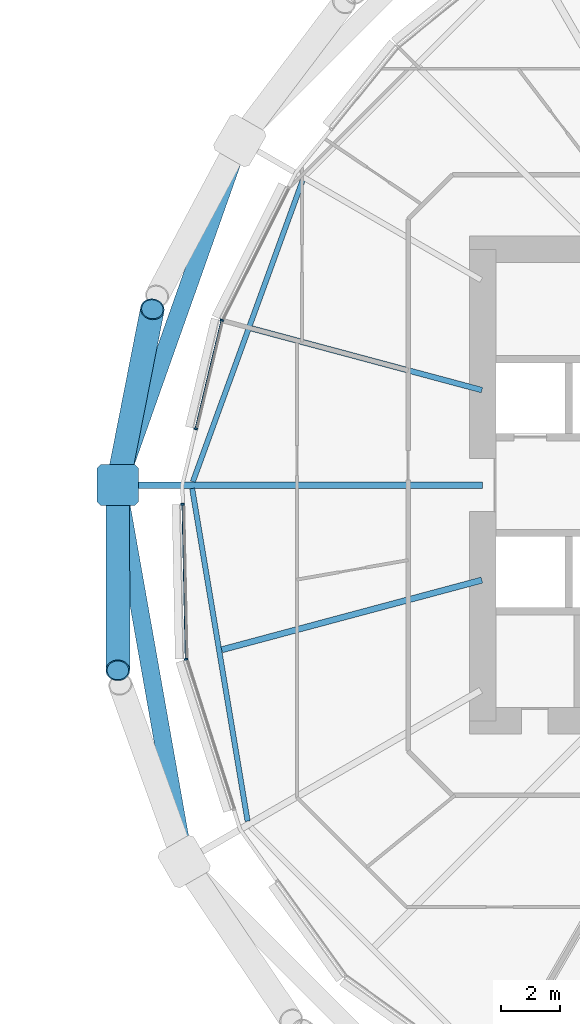
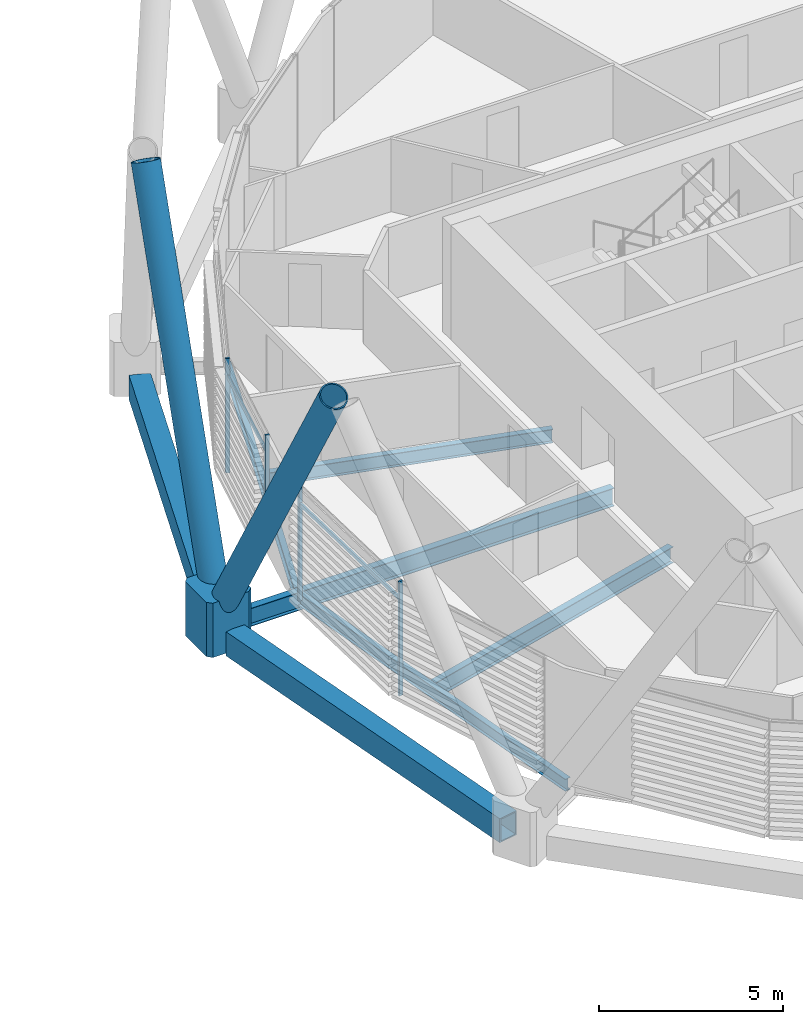
# One storey, part 13 of 36: 9 members, 7 beams, 1 element without a shape of its own.
"""IFC4 building model written with IfcOpenShell, lengths in metres."""

from ifc_helpers import new_model, si_unit, direction, frame, origin, origin_2d, place, context, subcontext, project, spatial, polyline, rectangle, hollow_rectangle, hollow_circle, i_section, outline, extrude, material, material_profile, profile_set, type_object, element, aggregate, save


model = new_model("IFC4")

# Units and contexts
model_context = context("Model", 3, precision=1e-05, world=origin(), true_north=direction((0.0, 1.0)))
body_context = subcontext(model_context, "Body", "Model", "MODEL_VIEW")
ifc_project = project(units=[si_unit("LENGTHUNIT", "METRE"), si_unit("AREAUNIT", "SQUARE_METRE"), si_unit("VOLUMEUNIT", "CUBIC_METRE"), si_unit("PLANEANGLEUNIT", "RADIAN"), si_unit("MASSUNIT", "GRAM", prefix="KILO")], contexts=[model_context])

# Site, building, storey
site_placement = place(None, origin())
site = spatial("IfcSite", under=ifc_project, at=site_placement, CompositionType="ELEMENT")
building_placement = place(site_placement, origin())
building = spatial("IfcBuilding", under=site, at=building_placement, Name="Rimbun Link Towers", CompositionType="ELEMENT")
storey_placement = place(building_placement, frame((0.0, 0.0, 64.199951171875)))
storey = spatial("IfcBuildingStorey", under=building, at=storey_placement, Name="L15", CompositionType="ELEMENT", Elevation=64.199951171875)

# Curtain wall, members
ifc_material_1 = material(Name="Aluminium 6063-T6 and low-iron glass", Category="aluminium")
curtain_wall_type = type_object("IfcCurtainWallType", Name="CW1 unitised vision wall", PredefinedType="NOTDEFINED", material=ifc_material_1)
curtain_wall_placement = place(storey_placement, origin())
curtain_wall = element("IfcCurtainWall", 1, at=curtain_wall_placement, inside=storey, type_object=curtain_wall_type, Name="CW1 L15 T2", PredefinedType="NOTDEFINED")
ifc_material_2 = material(Name="Aluminium 6063-T6", Category="aluminium")
ifc_material_profile_1 = material_profile(ifc_material_2, rectangle(XDim=0.1201171875, YDim=0.06005859375, at=origin_2d()), Name="MULLION 60X120")
ifc_profile_set_1 = profile_set([ifc_material_profile_1], Name="Aluminium 6063-T6")
member_type_1 = type_object("IfcMemberType", Name="CW1 mullion 60X120", PredefinedType="MULLION", material=ifc_profile_set_1)
member_1_placement = place(storey_placement, frame((10.8974609375, 5.593017578125, 0.0), z_axis=(0.0, 0.0, 1.0), x_axis=(-0.939346368321, 0.34296997, 0.0)))
member_1 = element("IfcMember", 2, at=member_1_placement, type_object=member_type_1, Name="CW1 mullion", PredefinedType="MULLION", context=body_context, shape_type="SweptSolid", body=[
    extrude(rectangle(XDim=0.1201171875, YDim=0.06005859375, at=origin_2d()), origin(), (0.0, 0.0, 1.0), 3.800048828125),
])
member_2_placement = place(storey_placement, frame((10.01611328125, 1.910400390625, 0.0), z_axis=(0.0, 0.0, 1.0), x_axis=(-0.972572197016, 0.232601207201, 0.0)))
member_2 = element("IfcMember", 3, at=member_2_placement, type_object=member_type_1, Name="CW1 mullion", PredefinedType="MULLION", context=body_context, shape_type="SweptSolid", body=[
    extrude(rectangle(XDim=0.1201171875, YDim=0.06005859375, at=origin_2d()), origin(), (0.0, 0.0, 1.0), 3.800048828125),
])
member_3_placement = place(storey_placement, frame((9.68603515625, -5.906005859375, 0.0), z_axis=(0.0, 0.0, 1.0), x_axis=(-0.986502827503, -0.16374422533, 0.0)))
member_3 = element("IfcMember", 4, at=member_3_placement, type_object=member_type_1, Name="CW1 mullion", PredefinedType="MULLION", context=body_context, shape_type="SweptSolid", body=[
    extrude(rectangle(XDim=0.1201171875, YDim=0.06005859375, at=origin_2d()), origin(), (0.0, 0.0, 1.0), 3.800048828125),
])
member_4_placement = place(storey_placement, frame((9.57470703125, -0.651123046875, 0.0), z_axis=(0.0, 0.0, 1.0), x_axis=(-0.999778219026, -0.021059742681, 0.0)))
member_4 = element("IfcMember", 5, at=member_4_placement, type_object=member_type_1, Name="CW1 mullion", PredefinedType="MULLION", context=body_context, shape_type="SweptSolid", body=[
    extrude(rectangle(XDim=0.1201171875, YDim=0.06005859375, at=origin_2d()), origin(), (0.0, 0.0, 1.0), 3.800048828125),
])
ifc_material_3 = material(Name="Aluminium 6063-T6", Category="aluminium")
ifc_material_profile_2 = material_profile(ifc_material_3, rectangle(XDim=0.06005859375, YDim=0.1201171875, at=origin_2d()), Name="TRANSOM 60X120")
ifc_profile_set_2 = profile_set([ifc_material_profile_2], Name="Aluminium 6063-T6")
member_type_2 = type_object("IfcMemberType", Name="CW1 transom 60X120", PredefinedType="USERDEFINED", material=ifc_profile_set_2)
member_5_placement = place(storey_placement, frame((10.025146484375, 1.939208984375, 3.199951171875), z_axis=(0.232623153405, 0.972566948081, 0.0), x_axis=(-0.972566948081, 0.232623153405, 0.0)))
member_5 = element("IfcMember", 6, at=member_5_placement, type_object=member_type_2, Name="CW1 transom", ObjectType="TRANSOM", PredefinedType="USERDEFINED", context=body_context, shape_type="SweptSolid", body=[
    extrude(rectangle(XDim=0.06005859375, YDim=0.1201171875, at=origin_2d()), origin(), (0.0, 0.0, 1.0), 3.719482421875),
])
member_6_placement = place(storey_placement, frame((9.6865234375, -5.867431640625, 3.199951171875), z_axis=(-0.021037568732, 0.999778685861, 0.0), x_axis=(-0.999778685861, -0.021037568732, 0.0)))
member_6 = element("IfcMember", 7, at=member_6_placement, type_object=member_type_2, Name="CW1 transom", ObjectType="TRANSOM", PredefinedType="USERDEFINED", context=body_context, shape_type="SweptSolid", body=[
    extrude(rectangle(XDim=0.06005859375, YDim=0.1201171875, at=origin_2d()), origin(), (0.0, 0.0, 1.0), 5.1875),
])
aggregate(curtain_wall, [member_1, member_2, member_3, member_4, member_5, member_6])

# Members
ifc_material_4 = material(Name="Steel S460NH", Category="steel")
ifc_material_profile_3 = material_profile(ifc_material_4, hollow_circle(Radius=0.406494140625, WallThickness=0.0400390625, at=origin_2d()), Name="Diagrid diagonal CHS 813x40")
ifc_profile_set_3 = profile_set([ifc_material_profile_3], Name="Steel S460NH")
member_type_3 = type_object("IfcMemberType", Name="Diagrid diagonal CHS 813x40", PredefinedType="BRACE", material=ifc_profile_set_3)
member_7_placement = place(storey_placement, frame((7.41796875, 0.238037109375, 0.437255859375), z_axis=(0.093728383, 0.475943844858, 0.874466950069), x_axis=(-0.981155359902, 0.193220495125, 0.0)))
element("IfcMember", 8, at=member_7_placement, inside=storey, type_object=member_type_3, Name="Diagrid diagonal T2 L15-L18 09a", PredefinedType="BRACE", context=body_context, shape_type="SweptSolid", body=[
    extrude(hollow_circle(Radius=0.406494140625, WallThickness=0.0400390625, at=origin_2d()), origin(), (0.0, 0.0, 1.0), 12.03662109375),
])
member_8_placement = place(storey_placement, frame((7.37109375, -0.24853515625, 0.433837890625), z_axis=(0.000201126402, -0.497124128082, 0.867679411319), x_axis=(0.999999918158, 0.000404579811, 0.0)))
element("IfcMember", 9, at=member_8_placement, inside=storey, type_object=member_type_3, Name="Diagrid diagonal T2 L15-L18 09b", PredefinedType="BRACE", context=body_context, shape_type="SweptSolid", body=[
    extrude(hollow_circle(Radius=0.406494140625, WallThickness=0.0400390625, at=origin_2d()), origin(), (0.0, 0.0, 1.0), 12.138671875),
])
ifc_material_5 = material(Name="Cast steel G20Mn5+QT, Rp0.2 300 MPa", Category="steel")
ifc_material_profile_4 = material_profile(ifc_material_5, outline(polyline([(0.699951171875, -0.570068359375), (0.699951171875, 0.570068359375), (0.570068359375, 0.699951171875), (-0.570068359375, 0.699951171875), (-0.699951171875, 0.570068359375), (-0.699951171875, -0.570068359375), (-0.570068359375, -0.699951171875), (0.570068359375, -0.699951171875), (0.699951171875, -0.570068359375)])), Name="NODE 1400x1400")
ifc_profile_set_4 = profile_set([ifc_material_profile_4], Name="Cast steel G20Mn5+QT, Rp0.2 300 MPa")
member_type_4 = type_object("IfcMemberType", Name="Diagrid node cast 1400", PredefinedType="USERDEFINED", material=ifc_profile_set_4)
member_9_placement = place(storey_placement, frame((7.37109375, 0.0, -0.89990234375), z_axis=(0.0, 0.0, 1.0), x_axis=(-1.0, 0.0, 0.0)))
element("IfcMember", 10, at=member_9_placement, inside=storey, type_object=member_type_4, Name="Diagrid node L15 09", ObjectType="Diagrid node", PredefinedType="USERDEFINED", context=body_context, shape_type="SweptSolid", body=[
    extrude(outline(polyline([(0.699951171875, -0.570068359375), (0.699951171875, 0.570068359375), (0.570068359375, 0.699951171875), (-0.570068359375, 0.699951171875), (-0.699951171875, 0.570068359375), (-0.699951171875, -0.570068359375), (-0.570068359375, -0.699951171875), (0.570068359375, -0.699951171875), (0.699951171875, -0.570068359375)])), origin(), (0.0, 0.0, 1.0), 1.800048828125),
])

# Beams
ifc_material_6 = material(Name="Steel S355J2", Category="steel")
ifc_material_profile_5 = material_profile(ifc_material_6, hollow_rectangle(XDim=0.60009765625, YDim=0.800048828125, WallThickness=0.0400390625, at=origin_2d()), Name="Exoskeleton ring girder BOX 600x800x40")
ifc_profile_set_5 = profile_set([ifc_material_profile_5], Name="Steel S355J2")
beam_type_1 = type_object("IfcBeamType", Name="Exoskeleton ring girder BOX 600x800x40", PredefinedType="BEAM", material=ifc_profile_set_5)
beam_1_placement = place(storey_placement, frame((11.2763671875, 11.025634765625, -0.56005859375), z_axis=(-0.333882485697, -0.942614706943, 0.0), x_axis=(0.942614706943, -0.333882485697, 0.0)))
element("IfcBeam", 11, at=beam_1_placement, inside=storey, type_object=beam_type_1, Name="Exoskeleton ring girder L15 03", PredefinedType="BEAM", context=body_context, shape_type="SweptSolid", body=[
    extrude(hollow_rectangle(XDim=0.60009765625, YDim=0.800048828125, WallThickness=0.0400390625, at=origin_2d()), origin(), (0.0, 0.0, 1.0), 10.996826171875),
])
beam_2_placement = place(storey_placement, frame((7.49267578125, -0.689208984375, -0.56005859375), z_axis=(0.173858756379, -0.984770599089, 0.0), x_axis=(0.984770599089, 0.173858756379, 0.0)))
element("IfcBeam", 12, at=beam_2_placement, inside=storey, type_object=beam_type_1, Name="Exoskeleton ring girder L15 04", PredefinedType="BEAM", context=body_context, shape_type="SweptSolid", body=[
    extrude(hollow_rectangle(XDim=0.60009765625, YDim=0.800048828125, WallThickness=0.0400390625, at=origin_2d()), origin(), (0.0, 0.0, 1.0), 11.571044921875),
])
ifc_material_7 = material(Name="Steel S355J2", Category="steel")
ifc_material_profile_6 = material_profile(ifc_material_7, i_section(OverallWidth=0.177978515625, OverallDepth=0.406494140625, WebThickness=0.0078125, FlangeThickness=0.0126953125, at=origin_2d()), Name="UB 406x178x60")
ifc_profile_set_6 = profile_set([ifc_material_profile_6], Name="Steel S355J2")
beam_type_2 = type_object("IfcBeamType", Name="UB 406x178x60", PredefinedType="BEAM", material=ifc_profile_set_6)
beam_3_placement = place(storey_placement, frame((13.64453125, 10.34228515625, -0.363037109375), z_axis=(-0.34218965666, -0.939630905662, 0.0), x_axis=(0.939630905662, -0.34218965666, 0.0)))
element("IfcBeam", 13, at=beam_3_placement, inside=storey, type_object=beam_type_2, Name="Edge beam T2 L15 07-09", PredefinedType="BEAM", context=body_context, shape_type="SweptSolid", body=[
    extrude(i_section(OverallWidth=0.177978515625, OverallDepth=0.406494140625, WebThickness=0.0078125, FlangeThickness=0.0126953125, at=origin_2d()), origin(), (0.0, 0.0, 1.0), 10.884521484375),
])
beam_4_placement = place(storey_placement, frame((9.897216796875, -0.11474609375, -0.363037109375), z_axis=(0.164219027993, -0.986423900179, 0.0), x_axis=(0.986423900179, 0.164219027993, 0.0)))
element("IfcBeam", 14, at=beam_4_placement, inside=storey, type_object=beam_type_2, Name="Edge beam T2 L15 09-11", PredefinedType="BEAM", context=body_context, shape_type="SweptSolid", body=[
    extrude(i_section(OverallWidth=0.177978515625, OverallDepth=0.406494140625, WebThickness=0.0078125, FlangeThickness=0.0126953125, at=origin_2d()), origin(), (0.0, 0.0, 1.0), 11.43994140625),
])
ifc_material_8 = material(Name="Steel S355J2", Category="steel")
ifc_material_profile_7 = material_profile(ifc_material_8, i_section(OverallWidth=0.18994140625, OverallDepth=0.453369140625, WebThickness=0.008544921875, FlangeThickness=0.0126953125, at=origin_2d()), Name="UB 457x191x67")
ifc_profile_set_7 = profile_set([ifc_material_profile_7], Name="Steel S355J2")
beam_type_3 = type_object("IfcBeamType", Name="UB 457x191x67", PredefinedType="BEAM", material=ifc_profile_set_7)
beam_5_placement = place(storey_placement, frame((19.724609375, 3.22216796875, -0.38671875), z_axis=(-0.96592420956, 0.25882507874, 0.0), x_axis=(-0.25882507874, -0.96592420956, 0.0)))
element("IfcBeam", 15, at=beam_5_placement, inside=storey, type_object=beam_type_3, Name="Radial beam T2 L15 08", PredefinedType="BEAM", context=body_context, shape_type="SweptSolid", body=[
    extrude(i_section(OverallWidth=0.18994140625, OverallDepth=0.453369140625, WebThickness=0.008544921875, FlangeThickness=0.0126953125, at=origin_2d()), origin(), (0.0, 0.0, 1.0), 8.09033203125),
])
ifc_material_9 = material(Name="Steel S355J2", Category="steel")
ifc_material_profile_8 = material_profile(ifc_material_9, i_section(OverallWidth=0.209228515625, OverallDepth=0.533203125, WebThickness=0.010009765625, FlangeThickness=0.015625, at=origin_2d()), Name="UB 533x210x92")
ifc_profile_set_8 = profile_set([ifc_material_profile_8], Name="Steel S355J2")
beam_type_4 = type_object("IfcBeamType", Name="UB 533x210x92", PredefinedType="BEAM", material=ifc_profile_set_8)
beam_6_placement = place(storey_placement, frame((19.721923828125, -3.222900390625, -0.426513671875), z_axis=(-0.965925024177, -0.258822038606, 0.0), x_axis=(0.258822038606, -0.965925024177, 0.0)))
element("IfcBeam", 16, at=beam_6_placement, inside=storey, type_object=beam_type_4, Name="Radial beam T2 L15 10", PredefinedType="BEAM", context=body_context, shape_type="SweptSolid", body=[
    extrude(i_section(OverallWidth=0.209228515625, OverallDepth=0.533203125, WebThickness=0.010009765625, FlangeThickness=0.015625, at=origin_2d()), origin(), (0.0, 0.0, 1.0), 9.1337890625),
])
ifc_material_10 = material(Name="Steel S355J2", Category="steel")
ifc_material_profile_9 = material_profile(ifc_material_10, i_section(OverallWidth=0.2275390625, OverallDepth=0.6025390625, WebThickness=0.010498046875, FlangeThickness=0.014892578125, at=origin_2d()), Name="UB 610x229x101")
ifc_profile_set_9 = profile_set([ifc_material_profile_9], Name="Steel S355J2")
beam_type_5 = type_object("IfcBeamType", Name="UB 610x229x101", PredefinedType="BEAM", material=ifc_profile_set_9)
beam_7_placement = place(storey_placement, frame((19.7490234375, 0.0, -0.461181640625), z_axis=(-1.0, 0.0, 0.0), x_axis=(0.0, -1.0, 0.0)))
element("IfcBeam", 17, at=beam_7_placement, inside=storey, type_object=beam_type_5, Name="Radial beam T2 L15 09", PredefinedType="BEAM", context=body_context, shape_type="SweptSolid", body=[
    extrude(i_section(OverallWidth=0.2275390625, OverallDepth=0.6025390625, WebThickness=0.010498046875, FlangeThickness=0.014892578125, at=origin_2d()), origin(), (0.0, 0.0, 1.0), 11.8779296875),
])

save(model, "model.ifc")
